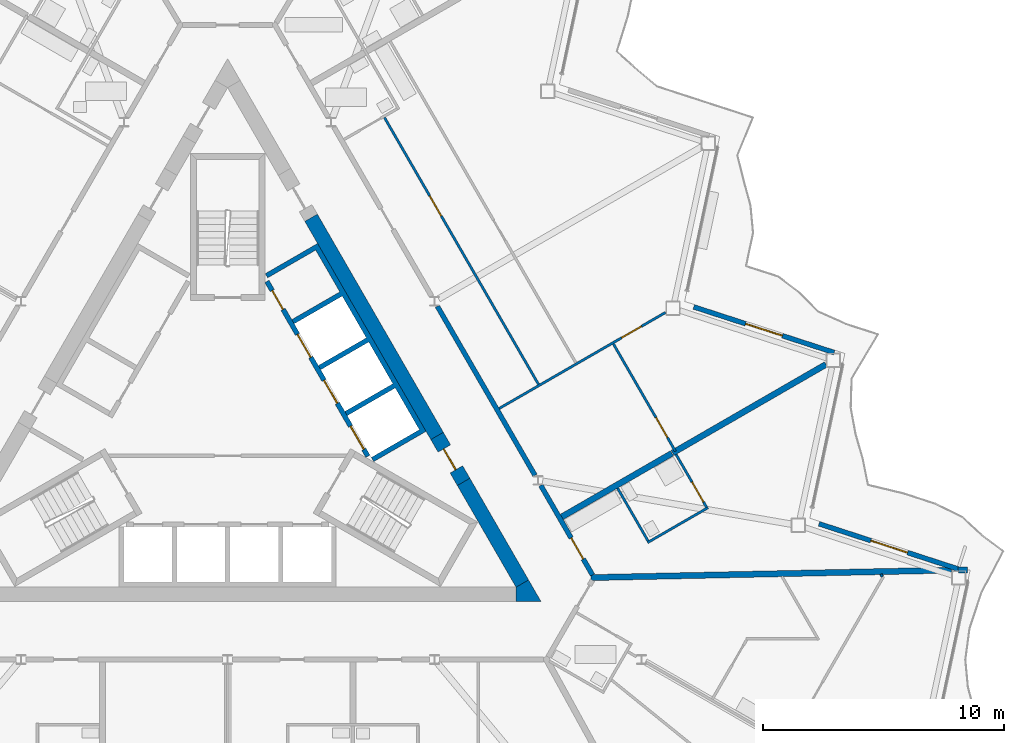
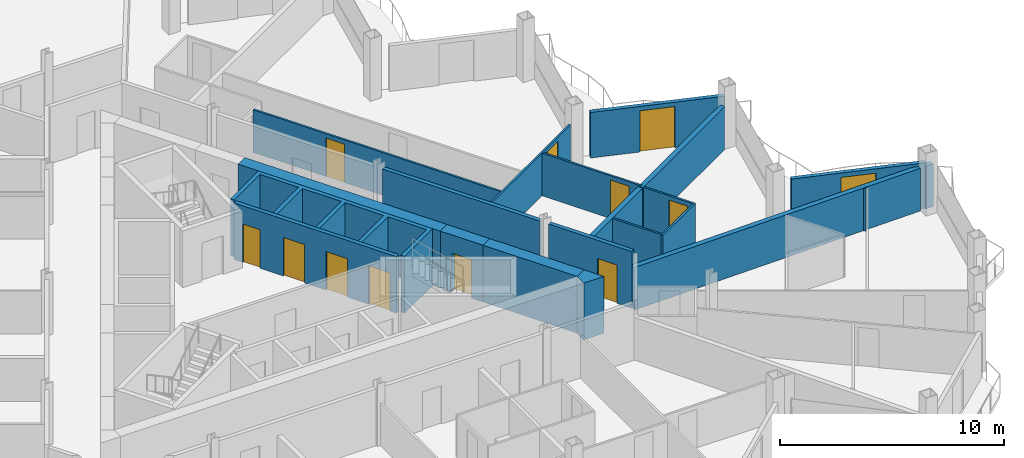
# One storey, part 17 of 27: 21 walls, 12 doors, 12 openings.
"""IFC4 building model written with IfcOpenShell, lengths in metres."""

from ifc_helpers import new_model, si_unit, direction, frame, frame_2d, origin, place, context, subcontext, project, spatial, polyline, rectangle, outline, extrude, material, layer, layer_set, type_object, element, fill, save


model = new_model("IFC4")

# Units and contexts
model_context = context("Model", 3, precision=1e-05, world=origin(), true_north=direction((0.0, 1.0)))
body_context = subcontext(model_context, "Body", "Model", "MODEL_VIEW")
ifc_project = project(units=[si_unit("LENGTHUNIT", "METRE"), si_unit("AREAUNIT", "SQUARE_METRE"), si_unit("VOLUMEUNIT", "CUBIC_METRE"), si_unit("PLANEANGLEUNIT", "RADIAN"), si_unit("MASSUNIT", "GRAM", prefix="KILO")], contexts=[model_context])

# Site, building, storey
site_placement = place(None, origin())
site = spatial("IfcSite", under=ifc_project, at=site_placement, CompositionType="ELEMENT")
building_placement = place(site_placement, origin())
building = spatial("IfcBuilding", under=site, at=building_placement, Name="Cormorant Prow Tower", CompositionType="ELEMENT")
storey_placement = place(building_placement, frame((0.0, 0.0, 312.0)))
storey = spatial("IfcBuildingStorey", under=building, at=storey_placement, Name="L68", CompositionType="ELEMENT", Elevation=312.0)

# Walls
ifc_material_1 = material(Name="Concrete 8000 psi", Category="concrete")
ifc_layer_1 = layer(ifc_material_1, 0.60009765625)
ifc_layer_set_1 = layer_set([ifc_layer_1], Name="Concrete 8000 psi")
wall_type_1 = type_object("IfcWallType", Name="Core shear wall 600", PredefinedType="SHEAR", material=ifc_layer_set_1)
wall_1_placement = place(storey_placement, frame((8.686279296875, -0.6337890625, 0.0), z_axis=(0.0, 0.0, 1.0), x_axis=(-0.50001836461, 0.866014800712, 0.0)))
element("IfcWall", 1, at=wall_1_placement, inside=storey, type_object=wall_type_1, Name="Core wall", PredefinedType="SHEAR", context=body_context, shape_type="SweptSolid", body=[
    extrude(rectangle(XDim=10.45068359375, YDim=0.60009765625, at=frame_2d((5.225341796875, 0.0))), origin(), (0.0, 0.0, 1.0), 3.10009765625),
])
wall_2_placement = place(storey_placement, frame((12.220703125, -6.755615234375, 0.0), z_axis=(0.0, 0.0, 1.0), x_axis=(-0.50000604952, 0.866021911064, 0.0)))
element("IfcWall", 2, at=wall_2_placement, inside=storey, type_object=wall_type_1, Name="Core wall", PredefinedType="SHEAR", context=body_context, shape_type="SweptSolid", body=[
    extrude(rectangle(XDim=4.86865234375, YDim=0.60009765625, at=frame_2d((2.434326171875, 0.0))), origin(), (0.0, 0.0, 1.0), 3.10009765625),
])
wall_3_placement = place(storey_placement, origin())
element("IfcWall", 3, at=wall_3_placement, inside=storey, type_object=wall_type_1, Name="Core wall corner", PredefinedType="SHEAR", context=body_context, shape_type="SweptSolid", body=[
    extrude(outline(polyline([(11.960693359375, -7.505615234375), (11.960693359375, -6.905517578125), (12.48046875, -6.605712890625), (13.0, -7.505615234375), (11.960693359375, -7.505615234375)])), origin(), (0.0, 0.0, 1.0), 3.10009765625),
])

# Wall, opening, door
wall_4_placement = place(storey_placement, frame((9.786376953125, -2.539306640625, 0.0), z_axis=(0.0, 0.0, 1.0), x_axis=(-0.499981787252, 0.866035918664, 0.0)))
wall_4 = element("IfcWall", 4, at=wall_4_placement, inside=storey, type_object=wall_type_1, Name="Core wall door panel", PredefinedType="SHEAR", context=body_context, shape_type="SweptSolid", body=[
    extrude(rectangle(XDim=2.2001953125, YDim=0.60009765625, at=frame_2d((1.10009765625, 0.0))), origin(), (0.0, 0.0, 1.0), 3.10009765625),
])
opening_1_placement = place(wall_4_placement, frame((0.60009765625, 0.0, 0.0)))
opening_1 = element("IfcOpeningElement", 5, at=opening_1_placement, cuts=wall_4, Name="Opening L68-C16", PredefinedType="OPENING", context=body_context, shape_type="SweptSolid", body=[
    extrude(rectangle(XDim=1.0, YDim=2.10009765625, at=frame_2d((0.5, 1.050048828125))), frame((0.0, 0.31005859375, 0.0), z_axis=(0.0, -1.0, 0.0), x_axis=(1.0, 0.0, 0.0)), (0.0, 0.0, 1.0), 0.6201171875),
])
ifc_material_2 = material(Name="Painted steel", Category="steel")
door_type_1 = type_object("IfcDoorType", Name="Service door 1000x2100", OperationType="NOTDEFINED", PredefinedType="DOOR", material=ifc_material_2)
door_1_placement = place(opening_1_placement, origin())
door_1 = element("IfcDoor", 6, at=door_1_placement, inside=storey, type_object=door_type_1, Name="Core door, Telecom room", OperationType="SINGLE_SWING_LEFT", OverallHeight=2.10009765625, OverallWidth=1.0, PredefinedType="DOOR", context=body_context, shape_type="SweptSolid", body=[
    extrude(rectangle(XDim=1.0, YDim=2.10009765625, at=frame_2d((0.5, 1.050048828125))), frame((0.0, 0.05517578125, 0.0), z_axis=(0.0, -1.0, 0.0), x_axis=(1.0, 0.0, 0.0)), (0.0, 0.0, 1.0), 0.050048828125),
])
fill(opening_1, door_1)

# Wall
ifc_material_3 = material(Name="Gypsum board corridor wall")
ifc_layer_2 = layer(ifc_material_3, 0.199951171875)
ifc_layer_set_2 = layer_set([ifc_layer_2], Name="Gypsum board corridor wall")
wall_type_2 = type_object("IfcWallType", Name="Corridor wall 200", PredefinedType="PARTITIONING", material=ifc_layer_set_2)
wall_5_placement = place(storey_placement, frame((8.698486328125, 4.7451171875, 0.0), z_axis=(0.0, 0.0, 1.0), x_axis=(0.499984266882, -0.866034487114, 0.0)))
element("IfcWall", 7, at=wall_5_placement, inside=storey, type_object=wall_type_2, Name="Corridor wall", PredefinedType="PARTITIONING", context=body_context, shape_type="SweptSolid", body=[
    extrude(rectangle(XDim=8.098876953125, YDim=0.199951171875, at=frame_2d((4.04931640625, 0.0))), origin(), (0.0, 0.0, 1.0), 3.10009765625),
])

# Wall, opening, door
wall_6_placement = place(storey_placement, frame((12.987548828125, -2.68408203125, 0.0), z_axis=(0.0, 0.0, 1.0), x_axis=(0.500003406062, -0.866023437285, 0.0)))
wall_6 = element("IfcWall", 8, at=wall_6_placement, inside=storey, type_object=wall_type_2, Name="Corridor wall", PredefinedType="PARTITIONING", context=body_context, shape_type="SweptSolid", body=[
    extrude(rectangle(XDim=4.28759765625, YDim=0.199951171875, at=frame_2d((2.143798828125, 0.0))), origin(), (0.0, 0.0, 1.0), 3.10009765625),
])
opening_2_placement = place(wall_6_placement, frame((2.521484375, 0.0, 0.0)))
opening_2 = element("IfcOpeningElement", 9, at=opening_2_placement, cuts=wall_6, Name="Opening L68-F23", PredefinedType="OPENING", context=body_context, shape_type="SweptSolid", body=[
    extrude(rectangle(XDim=1.0, YDim=2.10009765625, at=frame_2d((0.5, 1.050048828125))), frame((0.0, 0.10986328125, 0.0), z_axis=(0.0, -1.0, 0.0), x_axis=(1.0, 0.0, 0.0)), (0.0, 0.0, 1.0), 0.219970703125),
])
ifc_material_4 = material(Name="Timber door leaf", Category="wood")
door_type_2 = type_object("IfcDoorType", Name="Flat or room entrance door 1000x2100", OperationType="NOTDEFINED", PredefinedType="DOOR", material=ifc_material_4)
door_2_placement = place(opening_2_placement, origin())
door_2 = element("IfcDoor", 10, at=door_2_placement, inside=storey, type_object=door_type_2, Name="Studio living, kitchen and sleeping room door", OperationType="SINGLE_SWING_RIGHT", OverallHeight=2.10009765625, OverallWidth=1.0, PredefinedType="DOOR", context=body_context, shape_type="SweptSolid", body=[
    extrude(rectangle(XDim=1.0, YDim=2.10009765625, at=frame_2d((0.5, 1.050048828125))), frame((0.0, 0.02490234375, 0.0), z_axis=(0.0, -1.0, 0.0), x_axis=(1.0, 0.0, 0.0)), (0.0, 0.0, 1.0), 0.050048828125),
])
fill(opening_2, door_2)

ifc_material_5 = material(Name="Gypsum board partition")
ifc_layer_3 = layer(ifc_material_5, 0.10009765625)
ifc_layer_set_3 = layer_set([ifc_layer_3], Name="Gypsum board partition")
wall_type_3 = type_object("IfcWallType", Name="Internal partition 100", PredefinedType="PARTITIONING", material=ifc_layer_set_3)
wall_7_placement = place(storey_placement, frame((6.50390625, 12.57177734375, 0.0), z_axis=(0.0, 0.0, 1.0), x_axis=(0.499998094172, -0.866026504112, 0.0)))
wall_7 = element("IfcWall", 11, at=wall_7_placement, inside=storey, type_object=wall_type_3, Name="Internal partition", PredefinedType="PARTITIONING", context=body_context, shape_type="SweptSolid", body=[
    extrude(rectangle(XDim=12.7783203125, YDim=0.10009765625, at=frame_2d((6.38916015625, 0.0))), origin(), (0.0, 0.0, 1.0), 2.330078125),
])
opening_3_placement = place(wall_7_placement, frame((3.7587890625, 0.0, 0.0)))
opening_3 = element("IfcOpeningElement", 12, at=opening_3_placement, cuts=wall_7, Name="Opening L68-F27", PredefinedType="OPENING", context=body_context, shape_type="SweptSolid", body=[
    extrude(rectangle(XDim=0.949951171875, YDim=2.10009765625, at=frame_2d((0.47509765625, 1.050048828125))), frame((0.0, 0.06005859375, 0.0), z_axis=(0.0, -1.0, 0.0), x_axis=(1.0, 0.0, 0.0)), (0.0, 0.0, 1.0), 0.1201171875),
])
ifc_material_6 = material(Name="Timber door leaf", Category="wood")
door_type_3 = type_object("IfcDoorType", Name="Bathroom door 950x2100", OperationType="NOTDEFINED", PredefinedType="DOOR", material=ifc_material_6)
door_3_placement = place(opening_3_placement, origin())
door_3 = element("IfcDoor", 13, at=door_3_placement, inside=storey, type_object=door_type_3, Name="Living room door", OperationType="SINGLE_SWING_LEFT", OverallHeight=2.10009765625, OverallWidth=0.949951171875, PredefinedType="DOOR", context=body_context, shape_type="SweptSolid", body=[
    extrude(rectangle(XDim=0.949951171875, YDim=2.10009765625, at=frame_2d((0.47509765625, 1.050048828125))), frame((0.0, 0.02490234375, 0.0), z_axis=(0.0, -1.0, 0.0), x_axis=(1.0, 0.0, 0.0)), (0.0, 0.0, 1.0), 0.050048828125),
])
fill(opening_3, door_3)

wall_8_placement = place(storey_placement, frame((11.261474609375, 0.505615234375, 0.0), z_axis=(0.0, 0.0, 1.0), x_axis=(0.866024323732, 0.500001870701, 0.0)))
wall_8 = element("IfcWall", 14, at=wall_8_placement, inside=storey, type_object=wall_type_3, Name="Internal partition", PredefinedType="PARTITIONING", context=body_context, shape_type="SweptSolid", body=[
    extrude(rectangle(XDim=7.966796875, YDim=0.10009765625, at=frame_2d((3.9833984375, 0.0))), origin(), (0.0, 0.0, 1.0), 2.330078125),
])
opening_4_placement = place(wall_8_placement, frame((5.864501953125, 0.0, 0.0)))
opening_4 = element("IfcOpeningElement", 15, at=opening_4_placement, cuts=wall_8, Name="Opening L68-F29", PredefinedType="OPENING", context=body_context, shape_type="SweptSolid", body=[
    extrude(rectangle(XDim=0.949951171875, YDim=2.10009765625, at=frame_2d((0.47509765625, 1.050048828125))), frame((0.0, 0.06005859375, 0.0), z_axis=(0.0, -1.0, 0.0), x_axis=(1.0, 0.0, 0.0)), (0.0, 0.0, 1.0), 0.1201171875),
])
door_4_placement = place(opening_4_placement, origin())
door_4 = element("IfcDoor", 16, at=door_4_placement, inside=storey, type_object=door_type_3, Name="Dining room door", OperationType="SINGLE_SWING_LEFT", OverallHeight=2.10009765625, OverallWidth=0.949951171875, PredefinedType="DOOR", context=body_context, shape_type="SweptSolid", body=[
    extrude(rectangle(XDim=0.949951171875, YDim=2.10009765625, at=frame_2d((0.47509765625, 1.050048828125))), frame((0.0, 0.02490234375, 0.0), z_axis=(0.0, -1.0, 0.0), x_axis=(1.0, 0.0, 0.0)), (0.0, 0.0, 1.0), 0.050048828125),
])
fill(opening_4, door_4)

wall_9_placement = place(storey_placement, frame((15.9990234375, 3.18310546875, 0.0), z_axis=(0.0, 0.0, 1.0), x_axis=(0.500014207086, -0.866017201164, 0.0)))
wall_9 = element("IfcWall", 17, at=wall_9_placement, inside=storey, type_object=wall_type_3, Name="Internal partition", PredefinedType="PARTITIONING", context=body_context, shape_type="SweptSolid", body=[
    extrude(rectangle(XDim=5.142822265625, YDim=0.10009765625, at=frame_2d((2.5712890625, 0.0))), origin(), (0.0, 0.0, 1.0), 2.330078125),
])
opening_5_placement = place(wall_9_placement, frame((3.532470703125, 0.0, 0.0)))
opening_5 = element("IfcOpeningElement", 18, at=opening_5_placement, cuts=wall_9, Name="Opening L68-F30", PredefinedType="OPENING", context=body_context, shape_type="SweptSolid", body=[
    extrude(rectangle(XDim=0.949951171875, YDim=2.10009765625, at=frame_2d((0.47509765625, 1.050048828125))), frame((0.0, 0.06005859375, 0.0), z_axis=(0.0, -1.0, 0.0), x_axis=(1.0, 0.0, 0.0)), (0.0, 0.0, 1.0), 0.1201171875),
])
door_5_placement = place(opening_5_placement, origin())
door_5 = element("IfcDoor", 19, at=door_5_placement, inside=storey, type_object=door_type_3, Name="Bedroom door", OperationType="SINGLE_SWING_RIGHT", OverallHeight=2.10009765625, OverallWidth=0.949951171875, PredefinedType="DOOR", context=body_context, shape_type="SweptSolid", body=[
    extrude(rectangle(XDim=0.949951171875, YDim=2.10009765625, at=frame_2d((0.47509765625, 1.050048828125))), frame((0.0, 0.02490234375, 0.0), z_axis=(0.0, -1.0, 0.0), x_axis=(1.0, 0.0, 0.0)), (0.0, 0.0, 1.0), 0.050048828125),
])
fill(opening_5, door_5)

# Walls
wall_10_placement = place(storey_placement, frame((17.416259765625, -5.0546875, 0.0), z_axis=(0.0, 0.0, 1.0), x_axis=(0.866032775405, 0.499987231761, 0.0)))
element("IfcWall", 20, at=wall_10_placement, inside=storey, type_object=wall_type_3, Name="Internal partition", PredefinedType="PARTITIONING", context=body_context, shape_type="SweptSolid", body=[
    extrude(rectangle(XDim=2.89990234375, YDim=0.10009765625, at=frame_2d((1.449951171875, 0.0))), origin(), (0.0, 0.0, 1.0), 2.330078125),
])
wall_11_placement = place(storey_placement, frame((16.172119140625, -2.7998046875, 0.0), z_axis=(0.0, 0.0, 1.0), x_axis=(0.50001820224, -0.866014894461, 0.0)))
element("IfcWall", 21, at=wall_11_placement, inside=storey, type_object=wall_type_3, Name="Internal partition", PredefinedType="PARTITIONING", context=body_context, shape_type="SweptSolid", body=[
    extrude(rectangle(XDim=2.52490234375, YDim=0.10009765625, at=frame_2d((1.262451171875, 0.0))), origin(), (0.0, 0.0, 1.0), 2.330078125),
])

# Wall, opening, door
wall_12_placement = place(storey_placement, frame((18.596923828125, -1.399658203125, 0.0), z_axis=(0.0, 0.0, 1.0), x_axis=(0.499976333282, -0.866039067339, 0.0)))
wall_12 = element("IfcWall", 22, at=wall_12_placement, inside=storey, type_object=wall_type_3, Name="Internal partition", PredefinedType="PARTITIONING", context=body_context, shape_type="SweptSolid", body=[
    extrude(rectangle(XDim=2.52490234375, YDim=0.10009765625, at=frame_2d((1.262451171875, 0.0))), origin(), (0.0, 0.0, 1.0), 2.330078125),
])
opening_6_placement = place(wall_12_placement, frame((1.324951171875, 0.0, 0.0)))
opening_6 = element("IfcOpeningElement", 23, at=opening_6_placement, cuts=wall_12, Name="Opening L68-F24", PredefinedType="OPENING", context=body_context, shape_type="SweptSolid", body=[
    extrude(rectangle(XDim=0.949951171875, YDim=2.10009765625, at=frame_2d((0.47509765625, 1.050048828125))), frame((0.0, 0.06005859375, 0.0), z_axis=(0.0, -1.0, 0.0), x_axis=(1.0, 0.0, 0.0)), (0.0, 0.0, 1.0), 0.1201171875),
])
door_6_placement = place(opening_6_placement, origin())
door_6 = element("IfcDoor", 24, at=door_6_placement, inside=storey, type_object=door_type_3, Name="Studio living, kitchen and sleeping room door", OperationType="SINGLE_SWING_RIGHT", OverallHeight=2.10009765625, OverallWidth=0.949951171875, PredefinedType="DOOR", context=body_context, shape_type="SweptSolid", body=[
    extrude(rectangle(XDim=0.949951171875, YDim=2.10009765625, at=frame_2d((0.47509765625, 1.050048828125))), frame((0.0, 0.02490234375, 0.0), z_axis=(0.0, -1.0, 0.0), x_axis=(1.0, 0.0, 0.0)), (0.0, 0.0, 1.0), 0.050048828125),
])
fill(opening_6, door_6)

# Wall
wall_13_placement = place(storey_placement, frame((27.095703125, -6.369140625, 0.0), z_axis=(0.0, 0.0, 1.0), x_axis=(0.500768285049, -0.865581379588, 0.0)))
element("IfcWall", 25, at=wall_13_placement, inside=storey, type_object=wall_type_3, Name="Internal partition", PredefinedType="PARTITIONING", context=body_context, shape_type="SweptSolid", body=[
    extrude(rectangle(XDim=0.107666015625, YDim=0.10009765625, at=frame_2d((0.0537109375, 0.0))), origin(), (0.0, 0.0, 1.0), 2.330078125),
])

# Wall, openings, doors
ifc_material_7 = material(Name="Concrete 5000 psi", Category="concrete")
ifc_layer_4 = layer(ifc_material_7, 0.199951171875)
ifc_layer_set_4 = layer_set([ifc_layer_4], Name="Concrete 5000 psi")
wall_type_4 = type_object("IfcWallType", Name="Lift lobby wall 200", PredefinedType="SOLIDWALL", material=ifc_layer_set_4)
wall_14_placement = place(storey_placement, frame((5.817138671875, -1.4755859375, 0.0), z_axis=(0.0, 0.0, 1.0), x_axis=(-0.500002616675, 0.866023893041, 0.0)))
wall_14 = element("IfcWall", 26, at=wall_14_placement, inside=storey, type_object=wall_type_4, Name="Lift lobby wall, ENE block", PredefinedType="SOLIDWALL", context=body_context, shape_type="SweptSolid", body=[
    extrude(rectangle(XDim=8.373046875, YDim=0.199951171875, at=frame_2d((4.1865234375, 0.0))), origin(), (0.0, 0.0, 1.0), 3.10009765625),
])
opening_7_placement = place(wall_14_placement, frame((0.336669921875, 0.0, 0.0)))
opening_7 = element("IfcOpeningElement", 27, at=opening_7_placement, cuts=wall_14, Name="Opening L68-C05", PredefinedType="OPENING", context=body_context, shape_type="SweptSolid", body=[
    extrude(rectangle(XDim=1.10009765625, YDim=2.10009765625, at=frame_2d((0.550048828125, 1.050048828125))), frame((0.0, 0.10986328125, 0.0), z_axis=(0.0, -1.0, 0.0), x_axis=(1.0, 0.0, 0.0)), (0.0, 0.0, 1.0), 0.219970703125),
])
opening_8_placement = place(wall_14_placement, frame((2.53662109375, 0.0, 0.0)))
opening_8 = element("IfcOpeningElement", 28, at=opening_8_placement, cuts=wall_14, Name="Opening L68-C06", PredefinedType="OPENING", context=body_context, shape_type="SweptSolid", body=[
    extrude(rectangle(XDim=1.10009765625, YDim=2.10009765625, at=frame_2d((0.550048828125, 1.050048828125))), frame((0.0, 0.10986328125, 0.0), z_axis=(0.0, -1.0, 0.0), x_axis=(1.0, 0.0, 0.0)), (0.0, 0.0, 1.0), 0.219970703125),
])
opening_9_placement = place(wall_14_placement, frame((4.736572265625, 0.0, 0.0)))
opening_9 = element("IfcOpeningElement", 29, at=opening_9_placement, cuts=wall_14, Name="Opening L68-C07", PredefinedType="OPENING", context=body_context, shape_type="SweptSolid", body=[
    extrude(rectangle(XDim=1.10009765625, YDim=2.10009765625, at=frame_2d((0.550048828125, 1.050048828125))), frame((0.0, 0.10986328125, 0.0), z_axis=(0.0, -1.0, 0.0), x_axis=(1.0, 0.0, 0.0)), (0.0, 0.0, 1.0), 0.219970703125),
])
opening_10_placement = place(wall_14_placement, frame((7.03662109375, 0.0, 0.0)))
opening_10 = element("IfcOpeningElement", 30, at=opening_10_placement, cuts=wall_14, Name="Opening L68-C08", PredefinedType="OPENING", context=body_context, shape_type="SweptSolid", body=[
    extrude(rectangle(XDim=0.89990234375, YDim=2.10009765625, at=frame_2d((0.449951171875, 1.050048828125))), frame((0.0, 0.10986328125, 0.0), z_axis=(0.0, -1.0, 0.0), x_axis=(1.0, 0.0, 0.0)), (0.0, 0.0, 1.0), 0.219970703125),
])
ifc_material_8 = material(Name="Painted steel", Category="steel")
door_type_4 = type_object("IfcDoorType", Name="Lift landing door 1100x2100", OperationType="SLIDING_TO_LEFT", PredefinedType="DOOR", material=ifc_material_8)
door_7_placement = place(opening_7_placement, origin())
door_7 = element("IfcDoor", 31, at=door_7_placement, inside=storey, type_object=door_type_4, Name="Landing door HR2", OperationType="SLIDING_TO_LEFT", OverallHeight=2.10009765625, OverallWidth=1.10009765625, PredefinedType="DOOR", context=body_context, shape_type="SweptSolid", body=[
    extrude(rectangle(XDim=1.10009765625, YDim=2.10009765625, at=frame_2d((0.550048828125, 1.050048828125))), frame((0.0, 0.02490234375, 0.0), z_axis=(0.0, -1.0, 0.0), x_axis=(1.0, 0.0, 0.0)), (0.0, 0.0, 1.0), 0.050048828125),
])
fill(opening_7, door_7)
door_8_placement = place(opening_8_placement, origin())
door_8 = element("IfcDoor", 32, at=door_8_placement, inside=storey, type_object=door_type_4, Name="Landing door HR3", OperationType="SLIDING_TO_LEFT", OverallHeight=2.10009765625, OverallWidth=1.10009765625, PredefinedType="DOOR", context=body_context, shape_type="SweptSolid", body=[
    extrude(rectangle(XDim=1.10009765625, YDim=2.10009765625, at=frame_2d((0.550048828125, 1.050048828125))), frame((0.0, 0.02490234375, 0.0), z_axis=(0.0, -1.0, 0.0), x_axis=(1.0, 0.0, 0.0)), (0.0, 0.0, 1.0), 0.050048828125),
])
fill(opening_8, door_8)
door_9_placement = place(opening_9_placement, origin())
door_9 = element("IfcDoor", 33, at=door_9_placement, inside=storey, type_object=door_type_4, Name="Landing door HR4", OperationType="SLIDING_TO_LEFT", OverallHeight=2.10009765625, OverallWidth=1.10009765625, PredefinedType="DOOR", context=body_context, shape_type="SweptSolid", body=[
    extrude(rectangle(XDim=1.10009765625, YDim=2.10009765625, at=frame_2d((0.550048828125, 1.050048828125))), frame((0.0, 0.02490234375, 0.0), z_axis=(0.0, -1.0, 0.0), x_axis=(1.0, 0.0, 0.0)), (0.0, 0.0, 1.0), 0.050048828125),
])
fill(opening_9, door_9)
ifc_material_9 = material(Name="Painted steel", Category="steel")
door_type_5 = type_object("IfcDoorType", Name="Service door 900x2100", OperationType="NOTDEFINED", PredefinedType="DOOR", material=ifc_material_9)
door_10_placement = place(opening_10_placement, origin())
door_10 = element("IfcDoor", 34, at=door_10_placement, inside=storey, type_object=door_type_5, Name="Service door, Refuse store", OperationType="SINGLE_SWING_RIGHT", OverallHeight=2.10009765625, OverallWidth=0.89990234375, PredefinedType="DOOR", context=body_context, shape_type="SweptSolid", body=[
    extrude(rectangle(XDim=0.89990234375, YDim=2.10009765625, at=frame_2d((0.449951171875, 1.050048828125))), frame((0.0, 0.02490234375, 0.0), z_axis=(0.0, -1.0, 0.0), x_axis=(1.0, 0.0, 0.0)), (0.0, 0.0, 1.0), 0.050048828125),
])
fill(opening_10, door_10)

# Walls
ifc_material_10 = material(Name="Concrete 8000 psi", Category="concrete")
ifc_layer_5 = layer(ifc_material_10, 0.199951171875)
ifc_layer_set_5 = layer_set([ifc_layer_5], Name="Concrete 8000 psi")
wall_type_5 = type_object("IfcWallType", Name="Lift shaft wall 200", PredefinedType="SHEAR", material=ifc_layer_set_5)
wall_15_placement = place(storey_placement, origin())
element("IfcWall", 35, at=wall_15_placement, inside=storey, type_object=wall_type_5, Name="Lift shaft walls, ENE block", PredefinedType="SHEAR", context=body_context, shape_type="SweptSolid", body=[
    extrude(outline(polyline([(1.560546875, 6.09716796875), (3.730712890625, 7.35009765625), (8.230712890625, -0.444091796875), (6.060546875, -1.697021484375), (5.96044921875, -1.52392578125), (7.952392578125, -0.373779296875), (6.952392578125, 1.358154296875), (4.96044921875, 0.2080078125), (4.860595703125, 0.38134765625), (6.852294921875, 1.53125), (5.852294921875, 3.263427734375), (3.860595703125, 2.11328125), (3.760498046875, 2.28662109375), (5.75244140625, 3.4365234375), (4.75244140625, 5.168701171875), (2.760498046875, 4.018798828125), (2.660400390625, 4.19189453125), (4.65234375, 5.341796875), (3.65234375, 7.073974609375), (1.660400390625, 5.923828125), (1.560546875, 6.09716796875)])), origin(), (0.0, 0.0, 1.0), 3.10009765625),
])
ifc_material_11 = material(Name="Acoustic gypsum party wall")
ifc_layer_6 = layer(ifc_material_11, 0.25)
ifc_layer_set_6 = layer_set([ifc_layer_6], Name="Acoustic gypsum party wall")
wall_type_6 = type_object("IfcWallType", Name="Suite party wall 250", PredefinedType="PARTITIONING", material=ifc_layer_set_6)
wall_16_placement = place(storey_placement, frame((15.06884765625, -6.508056640625, 0.0), z_axis=(0.0, 0.0, 1.0), x_axis=(0.999786619639, 0.02065708573, 0.0)))
element("IfcWall", 36, at=wall_16_placement, inside=storey, type_object=wall_type_6, Name="Suite party wall", PredefinedType="PARTITIONING", context=body_context, shape_type="SweptSolid", body=[
    extrude(rectangle(XDim=14.95068359375, YDim=0.25, at=frame_2d((7.475341796875, 0.0))), origin(), (0.0, 0.0, 1.0), 2.330078125),
])
wall_17_placement = place(storey_placement, frame((18.45361328125, -1.338134765625, 0.0), z_axis=(0.0, 0.0, 1.0), x_axis=(0.866023407002, 0.500003458512, 0.0)))
element("IfcWall", 37, at=wall_17_placement, inside=storey, type_object=wall_type_6, Name="Suite party wall", PredefinedType="PARTITIONING", context=body_context, shape_type="SweptSolid", body=[
    extrude(rectangle(XDim=7.34521484375, YDim=0.25, at=frame_2d((3.672607421875, 0.0))), origin(), (0.0, 0.0, 1.0), 2.330078125),
])
wall_18_placement = place(storey_placement, frame((13.85791015625, -3.991455078125, 0.0), z_axis=(0.0, 0.0, 1.0), x_axis=(0.866032983855, 0.499986870703, 0.0)))
element("IfcWall", 38, at=wall_18_placement, inside=storey, type_object=wall_type_6, Name="Suite party wall", PredefinedType="PARTITIONING", context=body_context, shape_type="SweptSolid", body=[
    extrude(rectangle(XDim=5.275146484375, YDim=0.25, at=frame_2d((2.6376953125, 0.0))), origin(), (0.0, 0.0, 1.0), 2.330078125),
])
wall_19_placement = place(storey_placement, frame((30.30078125, -6.193359375, 0.0), z_axis=(0.0, 0.0, 1.0), x_axis=(0.999786840126, 0.020646411592, 0.0)))
element("IfcWall", 39, at=wall_19_placement, inside=storey, type_object=wall_type_6, Name="Suite party wall", PredefinedType="PARTITIONING", context=body_context, shape_type="SweptSolid", body=[
    extrude(rectangle(XDim=0.39013671875, YDim=0.25, at=frame_2d((0.195068359375, 0.0))), origin(), (0.0, 0.0, 1.0), 2.330078125),
])

# Wall, opening, door
ifc_material_12 = material(Name="Terracotta", Category="masonry")
ifc_layer_7 = layer(ifc_material_12, 0.199951171875)
ifc_layer_set_7 = layer_set([ifc_layer_7], Name="Terracotta")
wall_type_7 = type_object("IfcWallType", Name="Terracotta jamb wall 200", PredefinedType="SOLIDWALL", material=ifc_layer_set_7)
wall_20_placement = place(storey_placement, frame((30.347412109375, -6.16845703125, 0.0), z_axis=(0.0, 0.0, 1.0), x_axis=(-0.951053709789, 0.309025631781, 0.0)))
wall_20 = element("IfcWall", 40, at=wall_20_placement, inside=storey, type_object=wall_type_7, Name="Terracotta jamb wall ENE01", PredefinedType="SOLIDWALL", context=body_context, shape_type="SweptSolid", body=[
    extrude(rectangle(XDim=6.11962890625, YDim=0.199951171875, at=frame_2d((3.059814453125, 0.0))), origin(), (0.0, 0.0, 1.0), 2.48779296875),
])
opening_11_placement = place(wall_20_placement, frame((2.259765625, 0.0, 0.0)))
opening_11 = element("IfcOpeningElement", 41, at=opening_11_placement, cuts=wall_20, Name="Opening ED68.06", PredefinedType="OPENING", context=body_context, shape_type="SweptSolid", body=[
    extrude(rectangle(XDim=1.60009765625, YDim=2.25, at=frame_2d((0.800048828125, 1.125))), frame((0.0, 0.10986328125, 0.0), z_axis=(0.0, -1.0, 0.0), x_axis=(1.0, 0.0, 0.0)), (0.0, 0.0, 1.0), 0.219970703125),
])
ifc_material_13 = material(Name="Aluminium 6063-T6", Category="aluminium")
door_type_6 = type_object("IfcDoorType", Name="Balcony door 1600x2250", OperationType="DOUBLE_DOOR_SINGLE_SWING", PredefinedType="DOOR", material=ifc_material_13)
door_11_placement = place(opening_11_placement, origin())
door_11 = element("IfcDoor", 42, at=door_11_placement, inside=storey, type_object=door_type_6, Name="Balcony door ENE01 ED68.06", OperationType="DOUBLE_DOOR_SINGLE_SWING", OverallHeight=2.25, OverallWidth=1.60009765625, PredefinedType="DOOR", context=body_context, shape_type="SweptSolid", body=[
    extrude(rectangle(XDim=1.60009765625, YDim=2.25, at=frame_2d((0.800048828125, 1.125))), frame((0.0, 0.02490234375, 0.0), z_axis=(0.0, -1.0, 0.0), x_axis=(1.0, 0.0, 0.0)), (0.0, 0.0, 1.0), 0.050048828125),
])
fill(opening_11, door_11)

wall_21_placement = place(storey_placement, frame((25.154541015625, 2.825927734375, 0.0), z_axis=(0.0, 0.0, 1.0), x_axis=(-0.951053709789, 0.309025631781, 0.0)))
wall_21 = element("IfcWall", 43, at=wall_21_placement, inside=storey, type_object=wall_type_7, Name="Terracotta jamb wall ENE03", PredefinedType="SOLIDWALL", context=body_context, shape_type="SweptSolid", body=[
    extrude(rectangle(XDim=6.11962890625, YDim=0.199951171875, at=frame_2d((3.059814453125, 0.0))), origin(), (0.0, 0.0, 1.0), 2.48779296875),
])
opening_12_placement = place(wall_21_placement, frame((2.259765625, 0.0, 0.0)))
opening_12 = element("IfcOpeningElement", 44, at=opening_12_placement, cuts=wall_21, Name="Opening ED68.07", PredefinedType="OPENING", context=body_context, shape_type="SweptSolid", body=[
    extrude(rectangle(XDim=1.60009765625, YDim=2.25, at=frame_2d((0.800048828125, 1.125))), frame((0.0, 0.10986328125, 0.0), z_axis=(0.0, -1.0, 0.0), x_axis=(1.0, 0.0, 0.0)), (0.0, 0.0, 1.0), 0.219970703125),
])
door_12_placement = place(opening_12_placement, origin())
door_12 = element("IfcDoor", 45, at=door_12_placement, inside=storey, type_object=door_type_6, Name="Balcony door ENE03 ED68.07", OperationType="DOUBLE_DOOR_SINGLE_SWING", OverallHeight=2.25, OverallWidth=1.60009765625, PredefinedType="DOOR", context=body_context, shape_type="SweptSolid", body=[
    extrude(rectangle(XDim=1.60009765625, YDim=2.25, at=frame_2d((0.800048828125, 1.125))), frame((0.0, 0.02490234375, 0.0), z_axis=(0.0, -1.0, 0.0), x_axis=(1.0, 0.0, 0.0)), (0.0, 0.0, 1.0), 0.050048828125),
])
fill(opening_12, door_12)

save(model, "model.ifc")
